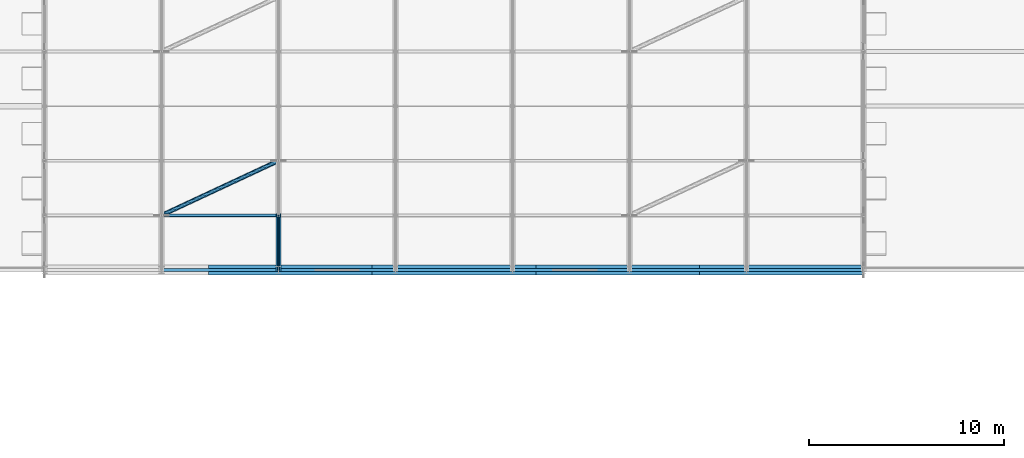
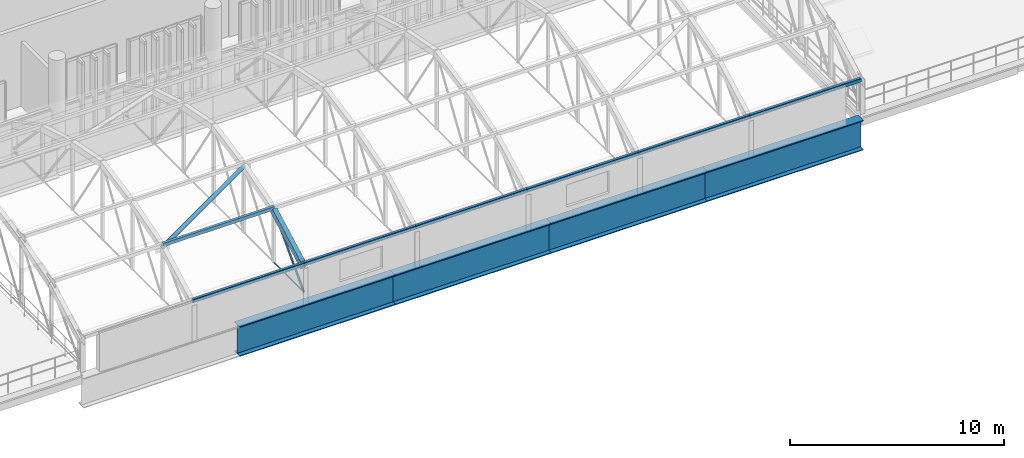
# One storey, part 44 of 109: 10 members, 5 beams.
"""IFC4 building model written with IfcOpenShell, lengths in metres."""

from ifc_helpers import new_model, si_unit, direction, frame, origin_with_axes, origin_2d_with_axis, place, context, subcontext, project, spatial, hollow_rectangle, circle, hollow_circle, i_section, extrude, material, material_profile, profile_set, type_object, element, save


model = new_model("IFC4")

# Units and contexts
model_context = context("Model", 3, precision=1e-05, world=origin_with_axes(), true_north=direction((0.0, 1.0)))
body_context = subcontext(model_context, "Body", "Model", "MODEL_VIEW")
ifc_project = project(units=[si_unit("LENGTHUNIT", "METRE"), si_unit("AREAUNIT", "SQUARE_METRE"), si_unit("VOLUMEUNIT", "CUBIC_METRE"), si_unit("PLANEANGLEUNIT", "RADIAN"), si_unit("MASSUNIT", "GRAM", prefix="KILO"), si_unit("THERMODYNAMICTEMPERATUREUNIT", "KELVIN")], contexts=[model_context])

# Site, building, storey
site_placement = place(None, origin_with_axes())
site = spatial("IfcSite", under=ifc_project, at=site_placement, CompositionType="ELEMENT")
building_placement = place(site_placement, origin_with_axes())
building = spatial("IfcBuilding", under=site, at=building_placement, Name="Montbau Bow Law Courts", CompositionType="ELEMENT")
storey_placement = place(building_placement, frame((0.0, 0.0, 10.8), z_axis=(0.0, 0.0, 1.0), x_axis=(1.0, 0.0, 0.0)))
storey = spatial("IfcBuildingStorey", under=building, at=storey_placement, Name="L02", CompositionType="ELEMENT", Elevation=10.8)

# Beams
ifc_material = material(Name="Steel CSA G40.21 Grade 350WT (350 MPa)", Category="steel")
ifc_material_profile_1 = material_profile(ifc_material, hollow_rectangle(XDim=0.254, YDim=0.356, WallThickness=0.0127, InnerFilletRadius=0.0254, OuterFilletRadius=0.0127, at=origin_2d_with_axis()), Name="HSS356X254X13", Category="Main", Priority=0)
ifc_profile_set_1 = profile_set([ifc_material_profile_1], Name="Steel CSA G40.21 Grade 350WT (350 MPa)")
beam_type_1 = type_object("IfcBeamType", Name="B-ARC-01", PredefinedType="USERDEFINED", material=ifc_profile_set_1)
beam_placement = place(None, frame((75.6, 22.2, 12.5), z_axis=(0.0, 0.880824397, 0.473443113), x_axis=(-1.0, 0.0, 0.0)))
element("IfcBeam", 1, at=beam_placement, inside=storey, type_object=beam_type_1, Name="Barrel vault roof truss arch rib V4-061", ObjectType="ARCH_RIB", PredefinedType="USERDEFINED", context=body_context, shape_type="SweptSolid", body=[
    extrude(hollow_rectangle(XDim=0.254, YDim=0.356, WallThickness=0.0127, InnerFilletRadius=0.0254, OuterFilletRadius=0.0127, at=origin_2d_with_axis()), origin_with_axes(), (0.0, 0.0, 1.0), 3.17884),
])
ifc_material_profile_2 = material_profile(ifc_material, i_section(OverallWidth=0.5, OverallDepth=1.7, WebThickness=0.02, FlangeThickness=0.045, at=origin_2d_with_axis()), Name="WWF1700X480", Category="Main", Priority=0)
ifc_profile_set_2 = profile_set([ifc_material_profile_2], Name="Steel CSA G40.21 Grade 350WT (350 MPa)")
beam_type_2 = type_object("IfcBeamType", Name="B-TRG-02", PredefinedType="USERDEFINED", material=ifc_profile_set_2)
for number, where, z_axis, x_axis, name in (
    (2, (72.0, 22.2, 9.63), (1.0, 0.0, 0.0), (0.0, 1.0, 0.0), "VRG-L02-S0010:bm2_0013"),
    (3, (80.4, 22.2, 9.63), (1.0, 0.0, 0.0), (0.0, 1.0, 0.0), "VRG-L02-S0011:bm2_0014"),
    (4, (88.8, 22.2, 9.63), (1.0, 0.0, 0.0), (0.0, 1.0, 0.0), "VRG-L02-S0012:bm2_0015"),
    (5, (97.2, 22.2, 9.63), (1.0, 0.0, 0.0), (0.0, 1.0, 0.0), "VRG-L02-S0013:bm2_0016"),
):
    element("IfcBeam", number, at=place(None, frame(where, z_axis=z_axis, x_axis=x_axis)), inside=storey, type_object=beam_type_2, Name=name, ObjectType="GIRDER", PredefinedType="USERDEFINED", context=body_context, shape_type="SweptSolid", body=[
        extrude(i_section(OverallWidth=0.5, OverallDepth=1.7, WebThickness=0.02, FlangeThickness=0.045, at=origin_2d_with_axis()), origin_with_axes(), (0.0, 0.0, 1.0), 8.4),
    ])

# Members
ifc_material_profile_3 = material_profile(ifc_material, hollow_circle(Radius=0.1095, WallThickness=0.0111, at=origin_2d_with_axis()), Name="HSS219X11", Category="Main", Priority=0)
ifc_profile_set_3 = profile_set([ifc_material_profile_3], Name="Steel CSA G40.21 Grade 350WT (350 MPa)")
member_type_1 = type_object("IfcMemberType", Name="M-BRC-04", PredefinedType="BRACE", material=ifc_profile_set_3)
member_1_placement = place(None, frame((69.6, 25.0, 14.005), z_axis=(0.899162854, 0.419609332, 0.124234334), x_axis=(-0.422885465, 0.90618314, 0.0)))
element("IfcMember", 6, at=member_1_placement, inside=storey, type_object=member_type_1, Name="Diagonal brace VBR-V4-085", PredefinedType="BRACE", context=body_context, shape_type="SweptSolid", body=[
    extrude(hollow_circle(Radius=0.1095, WallThickness=0.0111, at=origin_2d_with_axis()), origin_with_axes(), (0.0, 0.0, 1.0), 6.672874),
])
ifc_material_profile_4 = material_profile(ifc_material, hollow_rectangle(XDim=0.152, YDim=0.203, WallThickness=0.0095, InnerFilletRadius=0.019, OuterFilletRadius=0.0095, at=origin_2d_with_axis()), Name="HSS203X152X9.5", Category="Main", Priority=0)
ifc_profile_set_4 = profile_set([ifc_material_profile_4], Name="Steel CSA G40.21 Grade 350WT (350 MPa)")
member_type_2 = type_object("IfcMemberType", Name="M-PUR-01", PredefinedType="PURLIN", material=ifc_profile_set_4)
for number, where, z_axis, x_axis, name in (
    (7, (69.6, 22.2, 12.658), (1.0, 0.0, 0.0), (0.0, 1.0, 0.0), "Barrel vault roof truss purlin V4-057"),
    (8, (69.6, 25.0, 14.163), (1.0, 0.0, 0.0), (0.0, 1.0, 0.0), "Barrel vault roof truss purlin V4-058"),
    (9, (75.6, 22.2, 12.658), (1.0, 0.0, 0.0), (0.0, 1.0, 0.0), "Barrel vault roof truss purlin V4-064"),
    (10, (81.6, 22.2, 12.658), (1.0, 0.0, 0.0), (0.0, 1.0, 0.0), "Barrel vault roof truss purlin V4-071"),
    (11, (87.6, 22.2, 12.658), (1.0, 0.0, 0.0), (0.0, 1.0, 0.0), "Barrel vault roof truss purlin V4-078"),
    (12, (93.6, 22.2, 12.658), (1.0, 0.0, 0.0), (0.0, 1.0, 0.0), "Barrel vault roof truss purlin V4-085"),
    (13, (99.6, 22.2, 12.658), (1.0, 0.0, 0.0), (0.0, 1.0, 0.0), "Barrel vault roof truss purlin V4-092"),
):
    element("IfcMember", number, at=place(None, frame(where, z_axis=z_axis, x_axis=x_axis)), inside=storey, type_object=member_type_2, Name=name, PredefinedType="PURLIN", context=body_context, shape_type="SweptSolid", body=[
        extrude(hollow_rectangle(XDim=0.152, YDim=0.203, WallThickness=0.0095, InnerFilletRadius=0.019, OuterFilletRadius=0.0095, at=origin_2d_with_axis()), origin_with_axes(), (0.0, 0.0, 1.0), 6.0),
    ])
ifc_material_profile_5 = material_profile(ifc_material, hollow_circle(Radius=0.057, WallThickness=0.008, at=origin_2d_with_axis()), Name="HSS114X8.0", Category="Main", Priority=0)
ifc_profile_set_5 = profile_set([ifc_material_profile_5], Name="Steel CSA G40.21 Grade 350WT (350 MPa)")
member_type_3 = type_object("IfcMemberType", Name="M-STR-03", PredefinedType="STRUT", material=ifc_profile_set_5)
member_2_placement = place(None, frame((75.6, 22.2, 11.05), z_axis=(0.0, 0.687812781, 0.725888131), x_axis=(-1.0, 0.0, 0.0)))
element("IfcMember", 14, at=member_2_placement, inside=storey, type_object=member_type_3, Name="Barrel vault roof truss web diagonal V4-03-1", PredefinedType="STRUT", context=body_context, shape_type="SweptSolid", body=[
    extrude(hollow_circle(Radius=0.057, WallThickness=0.008, at=origin_2d_with_axis()), origin_with_axes(), (0.0, 0.0, 1.0), 4.070875),
])
ifc_material_profile_6 = material_profile(ifc_material, circle(Radius=0.038, at=origin_2d_with_axis()), Name="ROD76", Category="Main", Priority=0)
ifc_profile_set_6 = profile_set([ifc_material_profile_6], Name="Steel CSA G40.21 Grade 350WT (350 MPa)")
member_type_4 = type_object("IfcMemberType", Name="M-TIE-01", PredefinedType="USERDEFINED", material=ifc_profile_set_6)
member_3_placement = place(None, frame((75.6, 22.2, 11.05), z_axis=(0.0, 1.0, 0.0), x_axis=(-1.0, 0.0, 0.0)))
element("IfcMember", 15, at=member_3_placement, inside=storey, type_object=member_type_4, Name="Barrel vault roof truss tie V4-061", ObjectType="TIEBAR", PredefinedType="USERDEFINED", context=body_context, shape_type="SweptSolid", body=[
    extrude(circle(Radius=0.038, at=origin_2d_with_axis()), origin_with_axes(), (0.0, 0.0, 1.0), 2.8),
])

save(model, "model.ifc")
